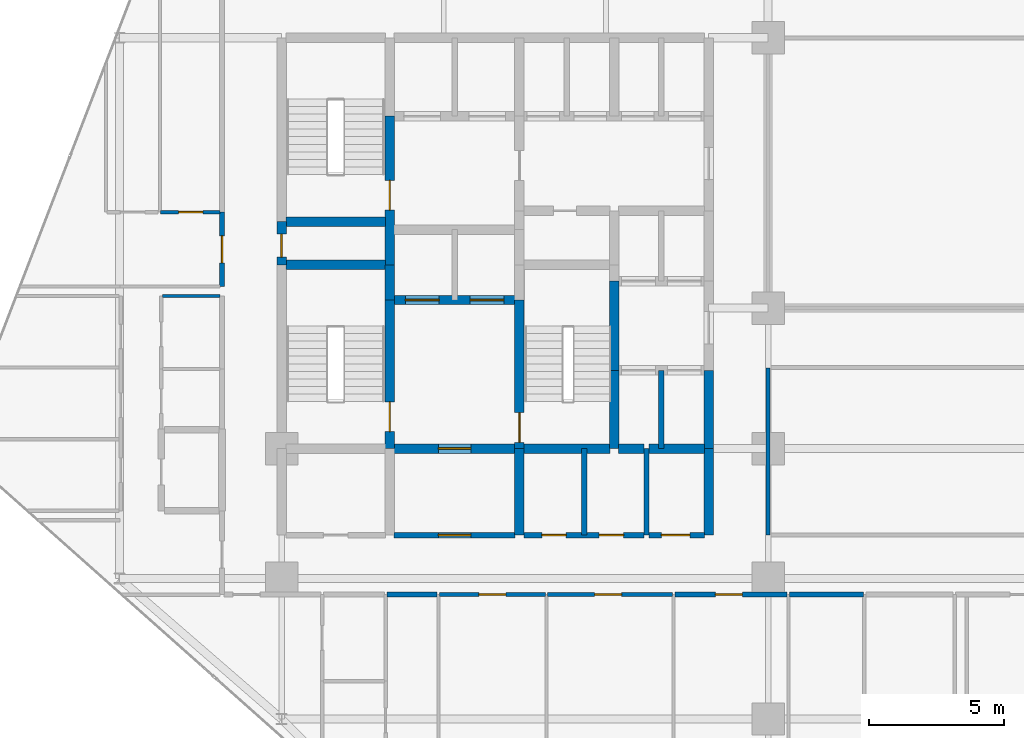
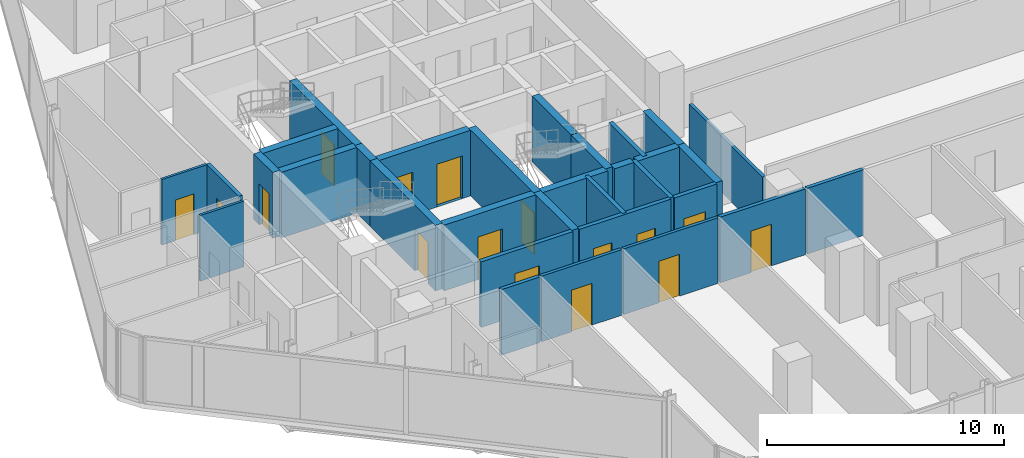
# One storey, part 27 of 33: 32 walls, 16 doors, 16 openings.
"""IFC4 building model written with IfcOpenShell, lengths in metres."""

from ifc_helpers import new_model, si_unit, direction, frame, frame_2d, origin, place, context, subcontext, project, spatial, rectangle, extrude, material, layer, layer_set, type_object, element, fill, save


model = new_model("IFC4")

# Units and contexts
model_context = context("Model", 3, precision=1e-05, world=origin(), true_north=direction((0.0, 1.0)))
body_context = subcontext(model_context, "Body", "Model", "MODEL_VIEW")
ifc_project = project(units=[si_unit("LENGTHUNIT", "METRE"), si_unit("AREAUNIT", "SQUARE_METRE"), si_unit("VOLUMEUNIT", "CUBIC_METRE"), si_unit("PLANEANGLEUNIT", "RADIAN"), si_unit("MASSUNIT", "GRAM", prefix="KILO")], contexts=[model_context])

# Site, building, storey
site_placement = place(None, origin())
site = spatial("IfcSite", under=ifc_project, at=site_placement, CompositionType="ELEMENT")
building_placement = place(site_placement, origin())
building = spatial("IfcBuilding", under=site, at=building_placement, Name="Keshet Zoharim Tower", CompositionType="ELEMENT")
storey_placement = place(building_placement, frame((0.0, 0.0, 73.800048828125)))
storey = spatial("IfcBuildingStorey", under=building, at=storey_placement, Name="L17", CompositionType="ELEMENT", Elevation=73.800048828125)

# Wall
ifc_material_1 = material(Name="Gypsum Plasterboard", Category="gypsum")
ifc_layer_1 = layer(ifc_material_1, 0.14990234375)
ifc_layer_set_1 = layer_set([ifc_layer_1], Name="Gypsum Plasterboard")
wall_type_1 = type_object("IfcWallType", Name="WL-CLIN-150", PredefinedType="STANDARD", material=ifc_layer_set_1)
wall_1_placement = place(storey_placement, frame((33.0, 19.510009765625, 0.0), z_axis=(0.0, 0.0, 1.0), x_axis=(0.0, 1.0, 0.0)))
element("IfcWall", 1, at=wall_1_placement, inside=storey, type_object=wall_type_1, Name="L17 Interior Wall 069", PredefinedType="STANDARD", context=body_context, shape_type="SweptSolid", body=[
    extrude(rectangle(XDim=6.179931640625, YDim=0.14990234375, at=frame_2d((3.08984375, 0.0))), origin(), (0.0, 0.0, 1.0), 2.885009765625),
])

# Wall, opening, door
wall_2_placement = place(storey_placement, frame((20.844970703125, 17.300048828125, 0.0), z_axis=(0.0, 0.0, 1.0), x_axis=(1.0, 0.0, 0.0)))
wall_2 = element("IfcWall", 2, at=wall_2_placement, inside=storey, type_object=wall_type_1, Name="L17 Interior Wall 138", PredefinedType="STANDARD", context=body_context, shape_type="SweptSolid", body=[
    extrude(rectangle(XDim=3.909912109375, YDim=0.14990234375, at=frame_2d((1.955078125, 0.0))), origin(), (0.0, 0.0, 1.0), 3.385009765625),
])
opening_1_placement = place(wall_2_placement, frame((1.455078125, 0.0, 0.0)))
opening_1 = element("IfcOpeningElement", 3, at=opening_1_placement, cuts=wall_2, Name="Opening D-F310", PredefinedType="OPENING", context=body_context, shape_type="SweptSolid", body=[
    extrude(rectangle(XDim=1.0, YDim=2.14990234375, at=frame_2d((0.5, 1.074951171875))), frame((0.0, 0.0849609375, 0.0), z_axis=(0.0, -1.0, 0.0), x_axis=(1.0, 0.0, 0.0)), (0.0, 0.0, 1.0), 0.169921875),
])
ifc_material_2 = material(Name="Hardwood Timber", Category="wood")
door_type_1 = type_object("IfcDoorType", Name="DR-FD30-100", OperationType="NOTDEFINED", PredefinedType="DOOR", material=ifc_material_2)
door_1_placement = place(opening_1_placement, origin())
door_1 = element("IfcDoor", 4, at=door_1_placement, inside=storey, type_object=door_type_1, Name="L17 Residents Music Studio Door", OperationType="SINGLE_SWING_RIGHT", OverallHeight=2.14990234375, OverallWidth=1.0, PredefinedType="DOOR", context=body_context, shape_type="SweptSolid", body=[
    extrude(rectangle(XDim=1.0, YDim=2.14990234375, at=frame_2d((0.5, 1.074951171875))), frame((0.0, 0.02490234375, 0.0), z_axis=(0.0, -1.0, 0.0), x_axis=(1.0, 0.0, 0.0)), (0.0, 0.0, 1.0), 0.050048828125),
])
fill(opening_1, door_1)

wall_3_placement = place(storey_placement, frame((24.844970703125, 17.300048828125, 0.0), z_axis=(0.0, 0.0, 1.0), x_axis=(1.0, 0.0, 0.0)))
wall_3 = element("IfcWall", 5, at=wall_3_placement, inside=storey, type_object=wall_type_1, Name="L17 Interior Wall 139", PredefinedType="STANDARD", context=body_context, shape_type="SweptSolid", body=[
    extrude(rectangle(XDim=4.610107421875, YDim=0.14990234375, at=frame_2d((2.30517578125, 0.0))), origin(), (0.0, 0.0, 1.0), 3.385009765625),
])
opening_2_placement = place(wall_3_placement, frame((1.73388671875, 0.0, 0.0)))
opening_2 = element("IfcOpeningElement", 6, at=opening_2_placement, cuts=wall_3, Name="Opening D-F310", PredefinedType="OPENING", context=body_context, shape_type="SweptSolid", body=[
    extrude(rectangle(XDim=1.0, YDim=2.14990234375, at=frame_2d((0.5, 1.074951171875))), frame((0.0, 0.0849609375, 0.0), z_axis=(0.0, -1.0, 0.0), x_axis=(1.0, 0.0, 0.0)), (0.0, 0.0, 1.0), 0.169921875),
])
door_2_placement = place(opening_2_placement, origin())
door_2 = element("IfcDoor", 7, at=door_2_placement, inside=storey, type_object=door_type_1, Name="L17 Residents Art Workshop Door", OperationType="SINGLE_SWING_LEFT", OverallHeight=2.14990234375, OverallWidth=1.0, PredefinedType="DOOR", context=body_context, shape_type="SweptSolid", body=[
    extrude(rectangle(XDim=1.0, YDim=2.14990234375, at=frame_2d((0.5, 1.074951171875))), frame((0.0, 0.02490234375, 0.0), z_axis=(0.0, -1.0, 0.0), x_axis=(1.0, 0.0, 0.0)), (0.0, 0.0, 1.0), 0.050048828125),
])
fill(opening_2, door_2)

ifc_material_3 = material(Name="Concrete C60/75", Category="concrete")
ifc_layer_2 = layer(ifc_material_3, 0.35009765625)
ifc_layer_set_2 = layer_set([ifc_layer_2], Name="Concrete C60/75")
wall_type_2 = type_object("IfcWallType", Name="WL-CORE-350", PredefinedType="SHEAR", material=ifc_layer_set_2)
wall_4_placement = place(storey_placement, frame((15.0, 29.5, 0.0), z_axis=(0.0, 0.0, 1.0), x_axis=(0.0, 1.0, 0.0)))
wall_4 = element("IfcWall", 8, at=wall_4_placement, inside=storey, type_object=wall_type_2, Name="L17 Core Shear Wall 017", PredefinedType="SHEAR", context=body_context, shape_type="SweptSolid", body=[
    extrude(rectangle(XDim=1.60009765625, YDim=0.35009765625, at=frame_2d((0.800048828125, 0.0))), origin(), (0.0, 0.0, 1.0), 3.385009765625),
])
opening_3_placement = place(wall_4_placement, frame((0.287109375, 0.0, 0.0)))
opening_3 = element("IfcOpeningElement", 9, at=opening_3_placement, cuts=wall_4, Name="Opening D-RS85", PredefinedType="OPENING", context=body_context, shape_type="SweptSolid", body=[
    extrude(rectangle(XDim=0.85009765625, YDim=2.10009765625, at=frame_2d((0.425048828125, 1.050048828125))), frame((0.0, 0.18505859375, 0.0), z_axis=(0.0, -1.0, 0.0), x_axis=(1.0, 0.0, 0.0)), (0.0, 0.0, 1.0), 0.3701171875),
])
door_type_2 = type_object("IfcDoorType", Name="DR-RIS-085", OperationType="NOTDEFINED", PredefinedType="DOOR", material=ifc_material_2)
door_3_placement = place(opening_3_placement, origin())
door_3 = element("IfcDoor", 10, at=door_3_placement, inside=storey, type_object=door_type_2, Name="L17 Electrical Riser Access Cupboard Door", OperationType="SINGLE_SWING_LEFT", OverallHeight=2.10009765625, OverallWidth=0.85009765625, PredefinedType="DOOR", context=body_context, shape_type="SweptSolid", body=[
    extrude(rectangle(XDim=0.85009765625, YDim=2.10009765625, at=frame_2d((0.425048828125, 1.050048828125))), frame((0.0, 0.02490234375, 0.0), z_axis=(0.0, -1.0, 0.0), x_axis=(1.0, 0.0, 0.0)), (0.0, 0.0, 1.0), 0.050048828125),
])
fill(opening_3, door_3)

wall_5_placement = place(storey_placement, frame((19.0, 22.699951171875, 0.0), z_axis=(0.0, 0.0, 1.0), x_axis=(0.0, 1.0, 0.0)))
wall_5 = element("IfcWall", 11, at=wall_5_placement, inside=storey, type_object=wall_type_2, Name="L17 Core Shear Wall 026", PredefinedType="SHEAR", context=body_context, shape_type="SweptSolid", body=[
    extrude(rectangle(XDim=5.5, YDim=0.35009765625, at=frame_2d((2.75, 0.0))), origin(), (0.0, 0.0, 1.0), 3.385009765625),
])
opening_4_placement = place(wall_5_placement, frame((0.631103515625, 0.0, 0.0)))
opening_4 = element("IfcOpeningElement", 12, at=opening_4_placement, cuts=wall_5, Name="Opening D-F611", PredefinedType="OPENING", context=body_context, shape_type="SweptSolid", body=[
    extrude(rectangle(XDim=1.10009765625, YDim=2.14990234375, at=frame_2d((0.550048828125, 1.074951171875))), frame((0.0, 0.18505859375, 0.0), z_axis=(0.0, -1.0, 0.0), x_axis=(1.0, 0.0, 0.0)), (0.0, 0.0, 1.0), 0.3701171875),
])
door_type_3 = type_object("IfcDoorType", Name="DR-FD60-110", OperationType="NOTDEFINED", PredefinedType="DOOR", material=ifc_material_2)
door_4_placement = place(opening_4_placement, origin())
door_4 = element("IfcDoor", 13, at=door_4_placement, inside=storey, type_object=door_type_3, Name="L17 Exit Stair ST-01 Fire Door", OperationType="SINGLE_SWING_RIGHT", OverallHeight=2.14990234375, OverallWidth=1.10009765625, PredefinedType="DOOR", context=body_context, shape_type="SweptSolid", body=[
    extrude(rectangle(XDim=1.10009765625, YDim=2.14990234375, at=frame_2d((0.550048828125, 1.074951171875))), frame((0.0, 0.02490234375, 0.0), z_axis=(0.0, -1.0, 0.0), x_axis=(1.0, 0.0, 0.0)), (0.0, 0.0, 1.0), 0.050048828125),
])
fill(opening_4, door_4)

# Wall
wall_6_placement = place(storey_placement, frame((19.0, 28.199951171875, 0.0), z_axis=(0.0, 0.0, 1.0), x_axis=(0.0, 1.0, 0.0)))
element("IfcWall", 14, at=wall_6_placement, inside=storey, type_object=wall_type_2, Name="L17 Core Shear Wall 027", PredefinedType="SHEAR", context=body_context, shape_type="SweptSolid", body=[
    extrude(rectangle(XDim=1.300048828125, YDim=0.35009765625, at=frame_2d((0.64990234375, 0.0))), origin(), (0.0, 0.0, 1.0), 3.385009765625),
])

# Wall, opening, door
wall_7_placement = place(storey_placement, frame((19.0, 29.5, 0.0), z_axis=(0.0, 0.0, 1.0), x_axis=(0.0, 1.0, 0.0)))
wall_7 = element("IfcWall", 15, at=wall_7_placement, inside=storey, type_object=wall_type_2, Name="L17 Core Shear Wall 028", PredefinedType="SHEAR", context=body_context, shape_type="SweptSolid", body=[
    extrude(rectangle(XDim=5.5, YDim=0.35009765625, at=frame_2d((2.75, 0.0))), origin(), (0.0, 0.0, 1.0), 3.385009765625),
])
opening_5_placement = place(wall_7_placement, frame((2.02490234375, 0.0, 0.0)))
opening_5 = element("IfcOpeningElement", 16, at=opening_5_placement, cuts=wall_7, Name="Opening D-F611", PredefinedType="OPENING", context=body_context, shape_type="SweptSolid", body=[
    extrude(rectangle(XDim=1.10009765625, YDim=2.14990234375, at=frame_2d((0.550048828125, 1.074951171875))), frame((0.0, 0.18505859375, 0.0), z_axis=(0.0, -1.0, 0.0), x_axis=(1.0, 0.0, 0.0)), (0.0, 0.0, 1.0), 0.3701171875),
])
door_5_placement = place(opening_5_placement, origin())
door_5 = element("IfcDoor", 17, at=door_5_placement, inside=storey, type_object=door_type_3, Name="L17 Exit Stair ST-02 Fire Door", OperationType="SINGLE_SWING_LEFT", OverallHeight=2.14990234375, OverallWidth=1.10009765625, PredefinedType="DOOR", context=body_context, shape_type="SweptSolid", body=[
    extrude(rectangle(XDim=1.10009765625, YDim=2.14990234375, at=frame_2d((0.550048828125, 1.074951171875))), frame((0.0, 0.02490234375, 0.0), z_axis=(0.0, -1.0, 0.0), x_axis=(1.0, 0.0, 0.0)), (0.0, 0.0, 1.0), 0.050048828125),
])
fill(opening_5, door_5)

# Wall
wall_8_placement = place(storey_placement, frame((23.800048828125, 19.5, 0.0), z_axis=(0.0, 0.0, 1.0), x_axis=(0.0, 1.0, 0.0)))
element("IfcWall", 18, at=wall_8_placement, inside=storey, type_object=wall_type_2, Name="L17 Core Shear Wall 037", PredefinedType="SHEAR", context=body_context, shape_type="SweptSolid", body=[
    extrude(rectangle(XDim=3.199951171875, YDim=0.35009765625, at=frame_2d((1.60009765625, 0.0))), origin(), (0.0, 0.0, 1.0), 3.385009765625),
])

# Wall, opening, door
wall_9_placement = place(storey_placement, frame((23.800048828125, 22.699951171875, 0.0), z_axis=(0.0, 0.0, 1.0), x_axis=(0.0, 1.0, 0.0)))
wall_9 = element("IfcWall", 19, at=wall_9_placement, inside=storey, type_object=wall_type_2, Name="L17 Core Shear Wall 038", PredefinedType="SHEAR", context=body_context, shape_type="SweptSolid", body=[
    extrude(rectangle(XDim=5.5, YDim=0.35009765625, at=frame_2d((2.75, 0.0))), origin(), (0.0, 0.0, 1.0), 3.385009765625),
])
opening_6_placement = place(wall_9_placement, frame((0.235107421875, 0.0, 0.0)))
opening_6 = element("IfcOpeningElement", 20, at=opening_6_placement, cuts=wall_9, Name="Opening D-F611", PredefinedType="OPENING", context=body_context, shape_type="SweptSolid", body=[
    extrude(rectangle(XDim=1.10009765625, YDim=2.14990234375, at=frame_2d((0.550048828125, 1.074951171875))), frame((0.0, 0.18505859375, 0.0), z_axis=(0.0, -1.0, 0.0), x_axis=(1.0, 0.0, 0.0)), (0.0, 0.0, 1.0), 0.3701171875),
])
door_6_placement = place(opening_6_placement, frame((1.10009765625, 0.0, 0.0), z_axis=(0.0, 0.0, 1.0), x_axis=(-1.0, 0.0, 0.0)))
door_6 = element("IfcDoor", 21, at=door_6_placement, inside=storey, type_object=door_type_3, Name="L17 Exit Stair ST-03 Fire Door", OperationType="SINGLE_SWING_RIGHT", OverallHeight=2.14990234375, OverallWidth=1.10009765625, PredefinedType="DOOR", context=body_context, shape_type="SweptSolid", body=[
    extrude(rectangle(XDim=1.10009765625, YDim=2.14990234375, at=frame_2d((0.550048828125, 1.074951171875))), frame((0.0, 0.02490234375, 0.0), z_axis=(0.0, -1.0, 0.0), x_axis=(1.0, 0.0, 0.0)), (0.0, 0.0, 1.0), 0.050048828125),
])
fill(opening_6, door_6)

# Walls
wall_10_placement = place(storey_placement, frame((27.300048828125, 22.699951171875, 0.0), z_axis=(0.0, 0.0, 1.0), x_axis=(0.0, 1.0, 0.0)))
element("IfcWall", 22, at=wall_10_placement, inside=storey, type_object=wall_type_2, Name="L17 Core Shear Wall 049", PredefinedType="SHEAR", context=body_context, shape_type="SweptSolid", body=[
    extrude(rectangle(XDim=2.900146484375, YDim=0.35009765625, at=frame_2d((1.4501953125, 0.0))), origin(), (0.0, 0.0, 1.0), 3.385009765625),
])
wall_11_placement = place(storey_placement, frame((27.300048828125, 25.60009765625, 0.0), z_axis=(0.0, 0.0, 1.0), x_axis=(0.0, 1.0, 0.0)))
element("IfcWall", 23, at=wall_11_placement, inside=storey, type_object=wall_type_2, Name="L17 Core Shear Wall 050", PredefinedType="SHEAR", context=body_context, shape_type="SweptSolid", body=[
    extrude(rectangle(XDim=3.2998046875, YDim=0.35009765625, at=frame_2d((1.64990234375, 0.0))), origin(), (0.0, 0.0, 1.0), 3.385009765625),
])
wall_12_placement = place(storey_placement, frame((30.800048828125, 19.5, 0.0), z_axis=(0.0, 0.0, 1.0), x_axis=(0.0, 1.0, 0.0)))
element("IfcWall", 24, at=wall_12_placement, inside=storey, type_object=wall_type_2, Name="L17 Core Shear Wall 063", PredefinedType="SHEAR", context=body_context, shape_type="SweptSolid", body=[
    extrude(rectangle(XDim=3.199951171875, YDim=0.35009765625, at=frame_2d((1.60009765625, 0.0))), origin(), (0.0, 0.0, 1.0), 3.385009765625),
])
wall_13_placement = place(storey_placement, frame((30.800048828125, 22.699951171875, 0.0), z_axis=(0.0, 0.0, 1.0), x_axis=(0.0, 1.0, 0.0)))
element("IfcWall", 25, at=wall_13_placement, inside=storey, type_object=wall_type_2, Name="L17 Core Shear Wall 064", PredefinedType="SHEAR", context=body_context, shape_type="SweptSolid", body=[
    extrude(rectangle(XDim=2.900146484375, YDim=0.35009765625, at=frame_2d((1.4501953125, 0.0))), origin(), (0.0, 0.0, 1.0), 3.385009765625),
])

# Wall, opening, door
wall_14_placement = place(storey_placement, frame((19.159912109375, 22.699951171875, 0.0), z_axis=(0.0, 0.0, 1.0), x_axis=(1.0, 0.0, 0.0)))
wall_14 = element("IfcWall", 26, at=wall_14_placement, inside=storey, type_object=wall_type_2, Name="L17 Core Shear Wall 160", PredefinedType="SHEAR", context=body_context, shape_type="SweptSolid", body=[
    extrude(rectangle(XDim=4.47998046875, YDim=0.35009765625, at=frame_2d((2.239990234375, 0.0))), origin(), (0.0, 0.0, 1.0), 3.385009765625),
])
opening_7_placement = place(wall_14_placement, frame((1.639892578125, 0.0, 0.0)))
opening_7 = element("IfcOpeningElement", 27, at=opening_7_placement, cuts=wall_14, Name="Opening D-F612", PredefinedType="OPENING", context=body_context, shape_type="SweptSolid", body=[
    extrude(rectangle(XDim=1.199951171875, YDim=2.199951171875, at=frame_2d((0.60009765625, 1.10009765625))), frame((0.0, 0.18505859375, 0.0), z_axis=(0.0, -1.0, 0.0), x_axis=(1.0, 0.0, 0.0)), (0.0, 0.0, 1.0), 0.3701171875),
])
door_type_4 = type_object("IfcDoorType", Name="DR-FD60-120", OperationType="NOTDEFINED", PredefinedType="DOOR", material=ifc_material_2)
door_7_placement = place(opening_7_placement, origin())
door_7 = element("IfcDoor", 28, at=door_7_placement, inside=storey, type_object=door_type_4, Name="L17 South Core Lobby Fire Door", OperationType="SINGLE_SWING_RIGHT", OverallHeight=2.199951171875, OverallWidth=1.199951171875, PredefinedType="DOOR", context=body_context, shape_type="SweptSolid", body=[
    extrude(rectangle(XDim=1.199951171875, YDim=2.199951171875, at=frame_2d((0.60009765625, 1.10009765625))), frame((0.0, 0.02490234375, 0.0), z_axis=(0.0, -1.0, 0.0), x_axis=(1.0, 0.0, 0.0)), (0.0, 0.0, 1.0), 0.050048828125),
])
fill(opening_7, door_7)

# Walls
wall_15_placement = place(storey_placement, frame((23.9599609375, 22.699951171875, 0.0), z_axis=(0.0, 0.0, 1.0), x_axis=(1.0, 0.0, 0.0)))
element("IfcWall", 29, at=wall_15_placement, inside=storey, type_object=wall_type_2, Name="L17 Core Shear Wall 161", PredefinedType="SHEAR", context=body_context, shape_type="SweptSolid", body=[
    extrude(rectangle(XDim=3.179931640625, YDim=0.35009765625, at=frame_2d((1.58984375, 0.0))), origin(), (0.0, 0.0, 1.0), 3.385009765625),
])
wall_16_placement = place(storey_placement, frame((27.4599609375, 22.699951171875, 0.0), z_axis=(0.0, 0.0, 1.0), x_axis=(1.0, 0.0, 0.0)))
element("IfcWall", 30, at=wall_16_placement, inside=storey, type_object=wall_type_2, Name="L17 Core Shear Wall 162", PredefinedType="SHEAR", context=body_context, shape_type="SweptSolid", body=[
    extrude(rectangle(XDim=0.955078125, YDim=0.35009765625, at=frame_2d((0.4775390625, 0.0))), origin(), (0.0, 0.0, 1.0), 3.385009765625),
])
wall_17_placement = place(storey_placement, frame((28.5849609375, 22.699951171875, 0.0), z_axis=(0.0, 0.0, 1.0), x_axis=(1.0, 0.0, 0.0)))
element("IfcWall", 31, at=wall_17_placement, inside=storey, type_object=wall_type_2, Name="L17 Core Shear Wall 163", PredefinedType="SHEAR", context=body_context, shape_type="SweptSolid", body=[
    extrude(rectangle(XDim=2.054931640625, YDim=0.35009765625, at=frame_2d((1.02734375, 0.0))), origin(), (0.0, 0.0, 1.0), 3.385009765625),
])

# Wall, openings, doors
wall_18_placement = place(storey_placement, frame((19.159912109375, 28.199951171875, 0.0), z_axis=(0.0, 0.0, 1.0), x_axis=(1.0, 0.0, 0.0)))
wall_18 = element("IfcWall", 32, at=wall_18_placement, inside=storey, type_object=wall_type_2, Name="L17 Core Shear Wall 171", PredefinedType="SHEAR", context=body_context, shape_type="SweptSolid", body=[
    extrude(rectangle(XDim=4.47998046875, YDim=0.35009765625, at=frame_2d((2.239990234375, 0.0))), origin(), (0.0, 0.0, 1.0), 3.385009765625),
])
opening_8_placement = place(wall_18_placement, frame((0.4150390625, 0.0, 0.0)))
opening_8 = element("IfcOpeningElement", 33, at=opening_8_placement, cuts=wall_18, Name="Opening LD-01", PredefinedType="OPENING", context=body_context, shape_type="SweptSolid", body=[
    extrude(rectangle(XDim=1.25, YDim=2.199951171875, at=frame_2d((0.625, 1.10009765625))), frame((0.0, 0.18505859375, 0.0), z_axis=(0.0, -1.0, 0.0), x_axis=(1.0, 0.0, 0.0)), (0.0, 0.0, 1.0), 0.3701171875),
])
opening_9_placement = place(wall_18_placement, frame((2.81494140625, 0.0, 0.0)))
opening_9 = element("IfcOpeningElement", 34, at=opening_9_placement, cuts=wall_18, Name="Opening LD-01", PredefinedType="OPENING", context=body_context, shape_type="SweptSolid", body=[
    extrude(rectangle(XDim=1.25, YDim=2.199951171875, at=frame_2d((0.625, 1.10009765625))), frame((0.0, 0.18505859375, 0.0), z_axis=(0.0, -1.0, 0.0), x_axis=(1.0, 0.0, 0.0)), (0.0, 0.0, 1.0), 0.3701171875),
])
ifc_material_4 = material(Name="Steel S355", Category="steel")
door_type_5 = type_object("IfcDoorType", Name="DR-LD01-125", OperationType="DOUBLE_DOOR_SLIDING", PredefinedType="DOOR", material=ifc_material_4)
door_8_placement = place(opening_8_placement, origin())
door_8 = element("IfcDoor", 35, at=door_8_placement, inside=storey, type_object=door_type_5, Name="L17 Passenger Lift Landing Door LF-09", OperationType="DOUBLE_DOOR_SLIDING", OverallHeight=2.199951171875, OverallWidth=1.25, PredefinedType="DOOR", context=body_context, shape_type="SweptSolid", body=[
    extrude(rectangle(XDim=1.25, YDim=2.199951171875, at=frame_2d((0.625, 1.10009765625))), frame((0.0, 0.02490234375, 0.0), z_axis=(0.0, -1.0, 0.0), x_axis=(1.0, 0.0, 0.0)), (0.0, 0.0, 1.0), 0.050048828125),
])
fill(opening_8, door_8)
door_9_placement = place(opening_9_placement, origin())
door_9 = element("IfcDoor", 36, at=door_9_placement, inside=storey, type_object=door_type_5, Name="L17 Passenger Lift Landing Door LF-10", OperationType="DOUBLE_DOOR_SLIDING", OverallHeight=2.199951171875, OverallWidth=1.25, PredefinedType="DOOR", context=body_context, shape_type="SweptSolid", body=[
    extrude(rectangle(XDim=1.25, YDim=2.199951171875, at=frame_2d((0.625, 1.10009765625))), frame((0.0, 0.02490234375, 0.0), z_axis=(0.0, -1.0, 0.0), x_axis=(1.0, 0.0, 0.0)), (0.0, 0.0, 1.0), 0.050048828125),
])
fill(opening_9, door_9)

# Walls
for number, where, z_axis, x_axis, name in (
    (37, (15.159912109375, 29.5, 0.0), (0.0, 0.0, 1.0), (1.0, 0.0, 0.0), "L17 Core Shear Wall 177"),
    (38, (15.159912109375, 31.10009765625, 0.0), (0.0, 0.0, 1.0), (1.0, 0.0, 0.0), "L17 Core Shear Wall 180"),
):
    element("IfcWall", number, at=place(storey_placement, frame(where, z_axis=z_axis, x_axis=x_axis)), inside=storey, type_object=wall_type_2, Name=name, PredefinedType="SHEAR", context=body_context, shape_type="SweptSolid", body=[
        extrude(rectangle(XDim=3.68017578125, YDim=0.35009765625, at=frame_2d((1.840087890625, 0.0))), origin(), (0.0, 0.0, 1.0), 3.385009765625),
    ])

# Wall, opening, door
ifc_layer_3 = layer(ifc_material_1, 0.179931640625)
ifc_layer_set_3 = layer_set([ifc_layer_3], Name="Gypsum Plasterboard")
wall_type_3 = type_object("IfcWallType", Name="WL-CORR-180", PredefinedType="STANDARD", material=ifc_layer_set_3)
wall_19_placement = place(storey_placement, frame((12.800048828125, 28.699951171875, 0.0), z_axis=(0.0, 0.0, 1.0), x_axis=(0.0, 1.0, 0.0)))
wall_19 = element("IfcWall", 39, at=wall_19_placement, inside=storey, type_object=wall_type_3, Name="L17 Interior Wall 011", PredefinedType="STANDARD", context=body_context, shape_type="SweptSolid", body=[
    extrude(rectangle(XDim=2.75, YDim=0.179931640625, at=frame_2d((1.375, 0.0))), origin(), (0.0, 0.0, 1.0), 3.385009765625),
])
opening_10_placement = place(wall_19_placement, frame((0.875, 0.0, 0.0)))
opening_10 = element("IfcOpeningElement", 40, at=opening_10_placement, cuts=wall_19, Name="Opening D-F310", PredefinedType="OPENING", context=body_context, shape_type="SweptSolid", body=[
    extrude(rectangle(XDim=1.0, YDim=2.14990234375, at=frame_2d((0.5, 1.074951171875))), frame((0.0, 0.10009765625, 0.0), z_axis=(0.0, -1.0, 0.0), x_axis=(1.0, 0.0, 0.0)), (0.0, 0.0, 1.0), 0.199951171875),
])
door_10_placement = place(opening_10_placement, origin())
door_10 = element("IfcDoor", 41, at=door_10_placement, inside=storey, type_object=door_type_1, Name="Apartment 1711 Entrance Door", OperationType="SINGLE_SWING_RIGHT", OverallHeight=2.14990234375, OverallWidth=1.0, PredefinedType="DOOR", context=body_context, shape_type="SweptSolid", body=[
    extrude(rectangle(XDim=1.0, YDim=2.14990234375, at=frame_2d((0.5, 1.074951171875))), frame((0.0, 0.02490234375, 0.0), z_axis=(0.0, -1.0, 0.0), x_axis=(1.0, 0.0, 0.0)), (0.0, 0.0, 1.0), 0.050048828125),
])
fill(opening_10, door_10)

# Wall
wall_20_placement = place(storey_placement, frame((18.89501953125, 17.300048828125, 0.0), z_axis=(0.0, 0.0, 1.0), x_axis=(1.0, 0.0, 0.0)))
element("IfcWall", 42, at=wall_20_placement, inside=storey, type_object=wall_type_3, Name="L17 Interior Wall 137", PredefinedType="STANDARD", context=body_context, shape_type="SweptSolid", body=[
    extrude(rectangle(XDim=1.85986328125, YDim=0.179931640625, at=frame_2d((0.929931640625, 0.0))), origin(), (0.0, 0.0, 1.0), 3.385009765625),
])

# Wall, opening, door
wall_21_placement = place(storey_placement, frame((29.544921875, 17.300048828125, 0.0), z_axis=(0.0, 0.0, 1.0), x_axis=(1.0, 0.0, 0.0)))
wall_21 = element("IfcWall", 43, at=wall_21_placement, inside=storey, type_object=wall_type_3, Name="L17 Interior Wall 140", PredefinedType="STANDARD", context=body_context, shape_type="SweptSolid", body=[
    extrude(rectangle(XDim=4.150146484375, YDim=0.179931640625, at=frame_2d((2.0751953125, 0.0))), origin(), (0.0, 0.0, 1.0), 3.385009765625),
])
opening_11_placement = place(wall_21_placement, frame((1.5029296875, 0.0, 0.0)))
opening_11 = element("IfcOpeningElement", 44, at=opening_11_placement, cuts=wall_21, Name="Opening D-F310", PredefinedType="OPENING", context=body_context, shape_type="SweptSolid", body=[
    extrude(rectangle(XDim=1.0, YDim=2.14990234375, at=frame_2d((0.5, 1.074951171875))), frame((0.0, 0.10009765625, 0.0), z_axis=(0.0, -1.0, 0.0), x_axis=(1.0, 0.0, 0.0)), (0.0, 0.0, 1.0), 0.199951171875),
])
door_11_placement = place(opening_11_placement, origin())
door_11 = element("IfcDoor", 45, at=door_11_placement, inside=storey, type_object=door_type_1, Name="Apartment 1702 Entrance Door", OperationType="SINGLE_SWING_RIGHT", OverallHeight=2.14990234375, OverallWidth=1.0, PredefinedType="DOOR", context=body_context, shape_type="SweptSolid", body=[
    extrude(rectangle(XDim=1.0, YDim=2.14990234375, at=frame_2d((0.5, 1.074951171875))), frame((0.0, 0.02490234375, 0.0), z_axis=(0.0, -1.0, 0.0), x_axis=(1.0, 0.0, 0.0)), (0.0, 0.0, 1.0), 0.050048828125),
])
fill(opening_11, door_11)

# Walls
wall_22_placement = place(storey_placement, frame((33.784912109375, 17.300048828125, 0.0), z_axis=(0.0, 0.0, 1.0), x_axis=(1.0, 0.0, 0.0)))
element("IfcWall", 46, at=wall_22_placement, inside=storey, type_object=wall_type_3, Name="L17 Interior Wall 141", PredefinedType="STANDARD", context=body_context, shape_type="SweptSolid", body=[
    extrude(rectangle(XDim=2.739013671875, YDim=0.179931640625, at=frame_2d((1.36962890625, 0.0))), origin(), (0.0, 0.0, 1.0), 3.385009765625),
])
ifc_material_5 = material(Name="Concrete C50/60", Category="concrete")
ifc_layer_4 = layer(ifc_material_5, 0.199951171875)
ifc_layer_set_4 = layer_set([ifc_layer_4], Name="Concrete C50/60")
wall_type_4 = type_object("IfcWallType", Name="WL-FIRE-200", PredefinedType="STANDARD", material=ifc_layer_set_4)
for number, where, z_axis, x_axis, name in (
    (47, (26.199951171875, 19.5, 0.0), (0.0, 0.0, 1.0), (0.0, 1.0, 0.0), "L17 Interior Wall 048"),
    (48, (28.5, 19.5, 0.0), (0.0, 0.0, 1.0), (0.0, 1.0, 0.0), "L17 Interior Wall 055"),
):
    element("IfcWall", number, at=place(storey_placement, frame(where, z_axis=z_axis, x_axis=x_axis)), inside=storey, type_object=wall_type_4, Name=name, PredefinedType="STANDARD", context=body_context, shape_type="SweptSolid", body=[
        extrude(rectangle(XDim=3.199951171875, YDim=0.199951171875, at=frame_2d((1.60009765625, 0.0))), origin(), (0.0, 0.0, 1.0), 3.385009765625),
    ])
wall_23_placement = place(storey_placement, frame((29.050048828125, 22.699951171875, 0.0), z_axis=(0.0, 0.0, 1.0), x_axis=(0.0, 1.0, 0.0)))
element("IfcWall", 49, at=wall_23_placement, inside=storey, type_object=wall_type_4, Name="L17 Interior Wall 056", PredefinedType="STANDARD", context=body_context, shape_type="SweptSolid", body=[
    extrude(rectangle(XDim=2.900146484375, YDim=0.199951171875, at=frame_2d((1.4501953125, 0.0))), origin(), (0.0, 0.0, 1.0), 3.385009765625),
])

# Wall, opening, door
wall_24_placement = place(storey_placement, frame((19.159912109375, 19.5, 0.0), z_axis=(0.0, 0.0, 1.0), x_axis=(1.0, 0.0, 0.0)))
wall_24 = element("IfcWall", 50, at=wall_24_placement, inside=storey, type_object=wall_type_4, Name="L17 Interior Wall 152", PredefinedType="STANDARD", context=body_context, shape_type="SweptSolid", body=[
    extrude(rectangle(XDim=4.47998046875, YDim=0.199951171875, at=frame_2d((2.239990234375, 0.0))), origin(), (0.0, 0.0, 1.0), 3.385009765625),
])
opening_12_placement = place(wall_24_placement, frame((1.639892578125, 0.0, 0.0)))
opening_12 = element("IfcOpeningElement", 51, at=opening_12_placement, cuts=wall_24, Name="Opening D-F612", PredefinedType="OPENING", context=body_context, shape_type="SweptSolid", body=[
    extrude(rectangle(XDim=1.199951171875, YDim=2.199951171875, at=frame_2d((0.60009765625, 1.10009765625))), frame((0.0, 0.10986328125, 0.0), z_axis=(0.0, -1.0, 0.0), x_axis=(1.0, 0.0, 0.0)), (0.0, 0.0, 1.0), 0.219970703125),
])
door_12_placement = place(opening_12_placement, origin())
door_12 = element("IfcDoor", 52, at=door_12_placement, inside=storey, type_object=door_type_4, Name="L17 South Vestibule Corridor Door", OperationType="SINGLE_SWING_LEFT", OverallHeight=2.199951171875, OverallWidth=1.199951171875, PredefinedType="DOOR", context=body_context, shape_type="SweptSolid", body=[
    extrude(rectangle(XDim=1.199951171875, YDim=2.199951171875, at=frame_2d((0.60009765625, 1.10009765625))), frame((0.0, 0.02490234375, 0.0), z_axis=(0.0, -1.0, 0.0), x_axis=(1.0, 0.0, 0.0)), (0.0, 0.0, 1.0), 0.050048828125),
])
fill(opening_12, door_12)

# Wall, openings, doors
wall_25_placement = place(storey_placement, frame((23.9599609375, 19.5, 0.0), z_axis=(0.0, 0.0, 1.0), x_axis=(1.0, 0.0, 0.0)))
wall_25 = element("IfcWall", 53, at=wall_25_placement, inside=storey, type_object=wall_type_4, Name="L17 Interior Wall 153", PredefinedType="STANDARD", context=body_context, shape_type="SweptSolid", body=[
    extrude(rectangle(XDim=4.455078125, YDim=0.199951171875, at=frame_2d((2.2275390625, 0.0))), origin(), (0.0, 0.0, 1.0), 3.385009765625),
])
opening_13_placement = place(wall_25_placement, frame((0.6650390625, 0.0, 0.0)))
opening_13 = element("IfcOpeningElement", 54, at=opening_13_placement, cuts=wall_25, Name="Opening D-F690", PredefinedType="OPENING", context=body_context, shape_type="SweptSolid", body=[
    extrude(rectangle(XDim=0.89990234375, YDim=2.14990234375, at=frame_2d((0.449951171875, 1.074951171875))), frame((0.0, 0.10986328125, 0.0), z_axis=(0.0, -1.0, 0.0), x_axis=(1.0, 0.0, 0.0)), (0.0, 0.0, 1.0), 0.219970703125),
])
opening_14_placement = place(wall_25_placement, frame((2.791015625, 0.0, 0.0)))
opening_14 = element("IfcOpeningElement", 55, at=opening_14_placement, cuts=wall_25, Name="Opening D-F690", PredefinedType="OPENING", context=body_context, shape_type="SweptSolid", body=[
    extrude(rectangle(XDim=0.89990234375, YDim=2.14990234375, at=frame_2d((0.449951171875, 1.074951171875))), frame((0.0, 0.10986328125, 0.0), z_axis=(0.0, -1.0, 0.0), x_axis=(1.0, 0.0, 0.0)), (0.0, 0.0, 1.0), 0.219970703125),
])
door_type_6 = type_object("IfcDoorType", Name="DR-FD60-090", OperationType="NOTDEFINED", PredefinedType="DOOR", material=ifc_material_2)
door_13_placement = place(opening_13_placement, origin())
door_13 = element("IfcDoor", 56, at=door_13_placement, inside=storey, type_object=door_type_6, Name="L17 Switchgear Room Door", OperationType="SINGLE_SWING_RIGHT", OverallHeight=2.14990234375, OverallWidth=0.89990234375, PredefinedType="DOOR", context=body_context, shape_type="SweptSolid", body=[
    extrude(rectangle(XDim=0.89990234375, YDim=2.14990234375, at=frame_2d((0.449951171875, 1.074951171875))), frame((0.0, 0.02490234375, 0.0), z_axis=(0.0, -1.0, 0.0), x_axis=(1.0, 0.0, 0.0)), (0.0, 0.0, 1.0), 0.050048828125),
])
fill(opening_13, door_13)
door_14_placement = place(opening_14_placement, origin())
door_14 = element("IfcDoor", 57, at=door_14_placement, inside=storey, type_object=door_type_6, Name="L17 Telecom Room Door", OperationType="SINGLE_SWING_LEFT", OverallHeight=2.14990234375, OverallWidth=0.89990234375, PredefinedType="DOOR", context=body_context, shape_type="SweptSolid", body=[
    extrude(rectangle(XDim=0.89990234375, YDim=2.14990234375, at=frame_2d((0.449951171875, 1.074951171875))), frame((0.0, 0.02490234375, 0.0), z_axis=(0.0, -1.0, 0.0), x_axis=(1.0, 0.0, 0.0)), (0.0, 0.0, 1.0), 0.050048828125),
])
fill(opening_14, door_14)

# Wall, opening, door
wall_26_placement = place(storey_placement, frame((28.5849609375, 19.5, 0.0), z_axis=(0.0, 0.0, 1.0), x_axis=(1.0, 0.0, 0.0)))
wall_26 = element("IfcWall", 58, at=wall_26_placement, inside=storey, type_object=wall_type_4, Name="L17 Interior Wall 154", PredefinedType="STANDARD", context=body_context, shape_type="SweptSolid", body=[
    extrude(rectangle(XDim=2.054931640625, YDim=0.199951171875, at=frame_2d((1.02734375, 0.0))), origin(), (0.0, 0.0, 1.0), 3.385009765625),
])
opening_15_placement = place(wall_26_placement, frame((0.466064453125, 0.0, 0.0)))
opening_15 = element("IfcOpeningElement", 59, at=opening_15_placement, cuts=wall_26, Name="Opening D-AC10", PredefinedType="OPENING", context=body_context, shape_type="SweptSolid", body=[
    extrude(rectangle(XDim=1.050048828125, YDim=2.14990234375, at=frame_2d((0.52490234375, 1.074951171875))), frame((0.0, 0.10986328125, 0.0), z_axis=(0.0, -1.0, 0.0), x_axis=(1.0, 0.0, 0.0)), (0.0, 0.0, 1.0), 0.219970703125),
])
door_type_7 = type_object("IfcDoorType", Name="DR-ACC-105", OperationType="NOTDEFINED", PredefinedType="DOOR", material=ifc_material_2)
door_15_placement = place(opening_15_placement, origin())
door_15 = element("IfcDoor", 60, at=door_15_placement, inside=storey, type_object=door_type_7, Name="L17 Accessible WC Door", OperationType="SINGLE_SWING_RIGHT", OverallHeight=2.14990234375, OverallWidth=1.050048828125, PredefinedType="DOOR", context=body_context, shape_type="SweptSolid", body=[
    extrude(rectangle(XDim=1.050048828125, YDim=2.14990234375, at=frame_2d((0.52490234375, 1.074951171875))), frame((0.0, 0.02490234375, 0.0), z_axis=(0.0, -1.0, 0.0), x_axis=(1.0, 0.0, 0.0)), (0.0, 0.0, 1.0), 0.050048828125),
])
fill(opening_15, door_15)

# Wall
ifc_layer_5 = layer(ifc_material_1, 0.1201171875)
ifc_layer_set_5 = layer_set([ifc_layer_5], Name="Gypsum Plasterboard")
wall_type_5 = type_object("IfcWallType", Name="WL-PART-120", PredefinedType="PARTITIONING", material=ifc_layer_set_5)
wall_27_placement = place(storey_placement, frame((10.594970703125, 28.35009765625, 0.0), z_axis=(0.0, 0.0, 1.0), x_axis=(1.0, 0.0, 0.0)))
element("IfcWall", 61, at=wall_27_placement, inside=storey, type_object=wall_type_5, Name="L17 Interior Wall 173", PredefinedType="PARTITIONING", context=body_context, shape_type="SweptSolid", body=[
    extrude(rectangle(XDim=2.130126953125, YDim=0.1201171875, at=frame_2d((1.06494140625, 0.0))), origin(), (0.0, 0.0, 1.0), 3.385009765625),
])

# Wall, opening, door
ifc_layer_6 = layer(ifc_material_1, 0.1201171875)
ifc_layer_set_6 = layer_set([ifc_layer_6], Name="Gypsum Plasterboard")
wall_type_6 = type_object("IfcWallType", Name="WL-WET-120", PredefinedType="PARTITIONING", material=ifc_layer_set_6)
wall_28_placement = place(storey_placement, frame((10.52294921875, 31.449951171875, 0.0), z_axis=(0.0, 0.0, 1.0), x_axis=(1.0, 0.0, 0.0)))
wall_28 = element("IfcWall", 62, at=wall_28_placement, inside=storey, type_object=wall_type_6, Name="L17 Interior Wall 182", PredefinedType="PARTITIONING", context=body_context, shape_type="SweptSolid", body=[
    extrude(rectangle(XDim=2.2021484375, YDim=0.1201171875, at=frame_2d((1.10107421875, 0.0))), origin(), (0.0, 0.0, 1.0), 3.385009765625),
])
opening_16_placement = place(wall_28_placement, frame((0.666015625, 0.0, 0.0)))
opening_16 = element("IfcOpeningElement", 63, at=opening_16_placement, cuts=wall_28, Name="Opening D-WT90", PredefinedType="OPENING", context=body_context, shape_type="SweptSolid", body=[
    extrude(rectangle(XDim=0.89990234375, YDim=2.10009765625, at=frame_2d((0.449951171875, 1.050048828125))), frame((0.0, 0.070068359375, 0.0), z_axis=(0.0, -1.0, 0.0), x_axis=(1.0, 0.0, 0.0)), (0.0, 0.0, 1.0), 0.14013671875),
])
door_type_8 = type_object("IfcDoorType", Name="DR-WET-090", OperationType="NOTDEFINED", PredefinedType="DOOR", material=ifc_material_2)
door_16_placement = place(opening_16_placement, origin())
door_16 = element("IfcDoor", 64, at=door_16_placement, inside=storey, type_object=door_type_8, Name="Apartment 1711 Bathroom Door", OperationType="SINGLE_SWING_LEFT", OverallHeight=2.10009765625, OverallWidth=0.89990234375, PredefinedType="DOOR", context=body_context, shape_type="SweptSolid", body=[
    extrude(rectangle(XDim=0.89990234375, YDim=2.10009765625, at=frame_2d((0.449951171875, 1.050048828125))), frame((0.0, 0.02490234375, 0.0), z_axis=(0.0, -1.0, 0.0), x_axis=(1.0, 0.0, 0.0)), (0.0, 0.0, 1.0), 0.050048828125),
])
fill(opening_16, door_16)

save(model, "model.ifc")
